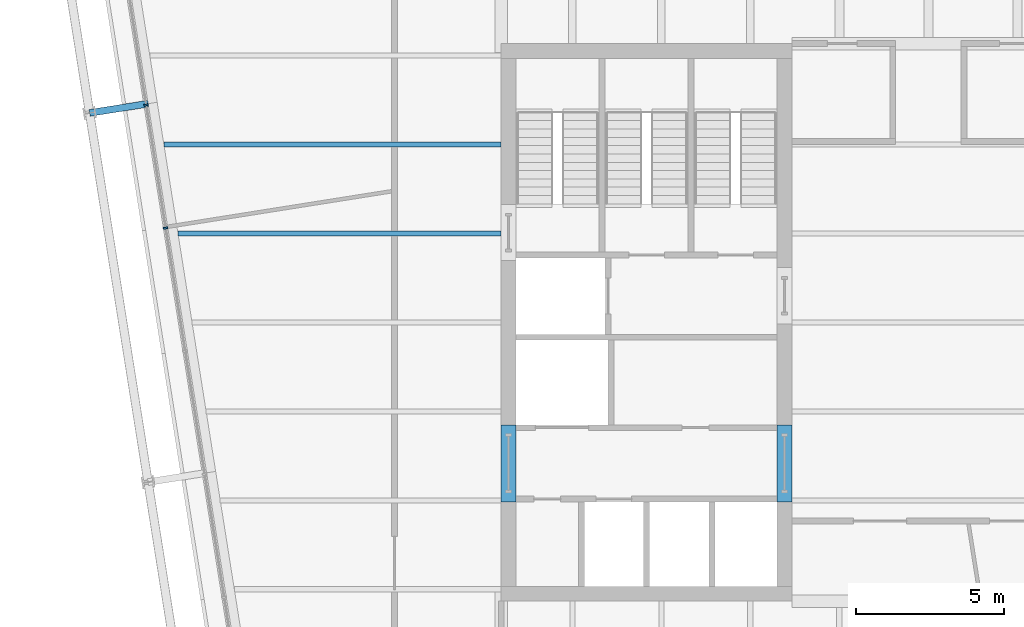
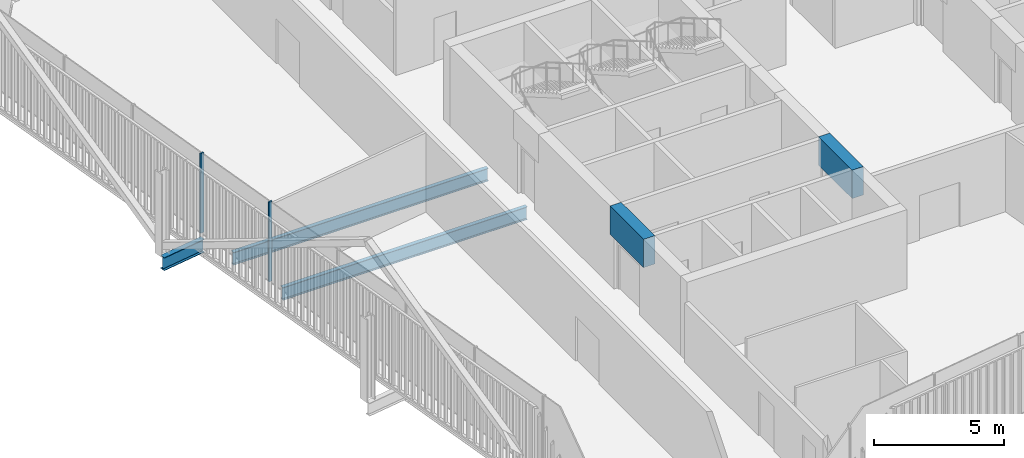
# One storey, part 7 of 21: 5 beams, 2 members, 1 element without a shape of its own.
"""IFC4 building model written with IfcOpenShell, lengths in metres."""

from ifc_helpers import new_model, si_unit, direction, frame, origin, origin_2d, place, context, subcontext, project, spatial, rectangle, i_section, extrude, material, layer, layer_set, material_profile, profile_set, type_object, element, aggregate, save


model = new_model("IFC4")

# Units and contexts
model_context = context("Model", 3, precision=1e-05, world=origin(), true_north=direction((0.0, 1.0)))
body_context = subcontext(model_context, "Body", "Model", "MODEL_VIEW")
ifc_project = project(units=[si_unit("LENGTHUNIT", "METRE"), si_unit("AREAUNIT", "SQUARE_METRE"), si_unit("VOLUMEUNIT", "CUBIC_METRE"), si_unit("PLANEANGLEUNIT", "RADIAN"), si_unit("MASSUNIT", "GRAM", prefix="KILO")], contexts=[model_context])

# Site, building, storey
site_placement = place(None, origin())
site = spatial("IfcSite", under=ifc_project, at=site_placement, CompositionType="ELEMENT")
building_placement = place(site_placement, origin())
building = spatial("IfcBuilding", under=site, at=building_placement, Name="Millrace Tower", CompositionType="ELEMENT")
storey_placement = place(building_placement, frame((0.0, 0.0, 220.300048828125)))
storey = spatial("IfcBuildingStorey", under=building, at=storey_placement, Name="L50", CompositionType="ELEMENT", Elevation=220.300048828125)

# Curtain wall, members
ifc_material_1 = material(Name="Aluminium and glass", Category="aluminium")
ifc_layer = layer(ifc_material_1, 0.14990234375)
ifc_layer_set = layer_set([ifc_layer], Name="Aluminium and glass")
curtain_wall_type = type_object("IfcCurtainWallType", Name="CW-1 office vision curtain wall", PredefinedType="NOTDEFINED", material=ifc_layer_set)
curtain_wall_placement = place(storey_placement, origin())
curtain_wall = element("IfcCurtainWall", 1, at=curtain_wall_placement, inside=storey, type_object=curtain_wall_type, Name="Curtain wall D-F08 L50", PredefinedType="NOTDEFINED")
ifc_material_2 = material(Name="Aluminium", Category="aluminium")
ifc_material_profile_1 = material_profile(ifc_material_2, rectangle(XDim=0.06494140625, YDim=0.14990234375, at=origin_2d()))
ifc_profile_set_1 = profile_set([ifc_material_profile_1], Name="Aluminium")
member_type = type_object("IfcMemberType", Name="CW-1 office vision curtain wall mullion", PredefinedType="MULLION", material=ifc_profile_set_1)
member_1_placement = place(storey_placement, frame((-26.371337890625, 7.33056640625, 0.139892578125), z_axis=(0.0, 0.0, 1.0), x_axis=(0.156434471884, -0.987688339511, 0.0)))
member_1 = element("IfcMember", 2, at=member_1_placement, type_object=member_type, Name="CW1 mullion D-F08.4", PredefinedType="MULLION", context=body_context, shape_type="SweptSolid", body=[
    extrude(rectangle(XDim=0.06494140625, YDim=0.14990234375, at=origin_2d()), origin(), (0.0, 0.0, 1.0), 3.760009765625),
])
member_2_placement = place(storey_placement, frame((-25.71435546875, 3.182373046875, 0.139892578125), z_axis=(0.0, 0.0, 1.0), x_axis=(0.156434471884, -0.987688339511, 0.0)))
member_2 = element("IfcMember", 3, at=member_2_placement, type_object=member_type, Name="CW1 mullion D-F08.5", PredefinedType="MULLION", context=body_context, shape_type="SweptSolid", body=[
    extrude(rectangle(XDim=0.06494140625, YDim=0.14990234375, at=origin_2d()), origin(), (0.0, 0.0, 1.0), 3.760009765625),
])
aggregate(curtain_wall, [member_1, member_2])

# Beams
ifc_material_3 = material(Name="Concrete C60", Category="concrete")
ifc_material_profile_2 = material_profile(ifc_material_3, rectangle(XDim=0.5, YDim=1.340087890625, at=origin_2d()))
ifc_profile_set_2 = profile_set([ifc_material_profile_2], Name="Concrete C60")
beam_type_1 = type_object("IfcBeamType", Name="Coupling beam 500 x 1340 Concrete C60, 2000 opening", PredefinedType="BEAM", material=ifc_profile_set_2)
for number, where, z_axis, x_axis, name in (
    (4, (-14.14990234375, -6.050048828125, 3.070068359375), (0.0, 1.0, 0.0), (-1.0, 0.0, 0.0), "Coupling beam W L50"),
    (5, (-4.85009765625, -6.050048828125, 3.070068359375), (0.0, 1.0, 0.0), (-1.0, 0.0, 0.0), "Coupling beam W L50"),
):
    element("IfcBeam", number, at=place(storey_placement, frame(where, z_axis=z_axis, x_axis=x_axis)), inside=storey, type_object=beam_type_1, Name=name, PredefinedType="BEAM", context=body_context, shape_type="SweptSolid", body=[
        extrude(rectangle(XDim=0.5, YDim=1.340087890625, at=origin_2d()), origin(), (0.0, 0.0, 1.0), 2.60009765625),
    ])
ifc_material_4 = material(Name="Steel ASTM A992 Grade 50", Category="steel")
ifc_material_profile_3 = material_profile(ifc_material_4, i_section(OverallWidth=0.1787109375, OverallDepth=0.60205078125, WebThickness=0.010986328125, FlangeThickness=0.014892578125, FilletRadius=0.0126953125, at=origin_2d()))
ifc_profile_set_3 = profile_set([ifc_material_profile_3], Name="Steel ASTM A992 Grade 50")
beam_type_2 = type_object("IfcBeamType", Name="Floor beam W24x62", PredefinedType="JOIST", material=ifc_profile_set_3)
beam_1_placement = place(storey_placement, frame((-25.29833984375, 3.0, -0.4609375), z_axis=(1.0, 0.0, 0.0), x_axis=(0.0, 1.0, 0.0)))
element("IfcBeam", 6, at=beam_1_placement, inside=storey, type_object=beam_type_2, Name="BM-D-L50-S1-S018", PredefinedType="JOIST", context=body_context, shape_type="SweptSolid", body=[
    extrude(i_section(OverallWidth=0.1787109375, OverallDepth=0.60205078125, WebThickness=0.010986328125, FlangeThickness=0.014892578125, FilletRadius=0.0126953125, at=origin_2d()), origin(), (0.0, 0.0, 1.0), 10.8984375),
])
beam_2_placement = place(storey_placement, frame((-25.7734375, 6.0, -0.4609375), z_axis=(1.0, 0.0, 0.0), x_axis=(0.0, 1.0, 0.0)))
element("IfcBeam", 7, at=beam_2_placement, inside=storey, type_object=beam_type_2, Name="BM-D-L50-S1-S021", PredefinedType="JOIST", context=body_context, shape_type="SweptSolid", body=[
    extrude(i_section(OverallWidth=0.1787109375, OverallDepth=0.60205078125, WebThickness=0.010986328125, FlangeThickness=0.014892578125, FilletRadius=0.0126953125, at=origin_2d()), origin(), (0.0, 0.0, 1.0), 11.37353515625),
])
ifc_material_5 = material(Name="Steel ASTM A992 Grade 50", Category="steel")
ifc_material_profile_4 = material_profile(ifc_material_5, i_section(OverallWidth=0.23046875, OverallDepth=0.6171875, WebThickness=0.01318359375, FlangeThickness=0.022216796875, FilletRadius=0.012939453125, at=origin_2d()))
ifc_profile_set_4 = profile_set([ifc_material_profile_4], Name="Steel ASTM A992 Grade 50")
beam_type_3 = type_object("IfcBeamType", Name="Link beam W24x94", PredefinedType="BEAM", material=ifc_profile_set_4)
beam_3_placement = place(storey_placement, frame((-26.302490234375, 7.37451171875, -0.46875), z_axis=(-0.987678691416, -0.156495375404, 0.0), x_axis=(0.156495375404, -0.987678691416, 0.0)))
element("IfcBeam", 8, at=beam_3_placement, inside=storey, type_object=beam_type_3, Name="LNK-D-L50-S1-03", PredefinedType="BEAM", context=body_context, shape_type="SweptSolid", body=[
    extrude(i_section(OverallWidth=0.23046875, OverallDepth=0.6171875, WebThickness=0.01318359375, FlangeThickness=0.022216796875, FilletRadius=0.012939453125, at=origin_2d()), origin(), (0.0, 0.0, 1.0), 2.0),
])

save(model, "model.ifc")
